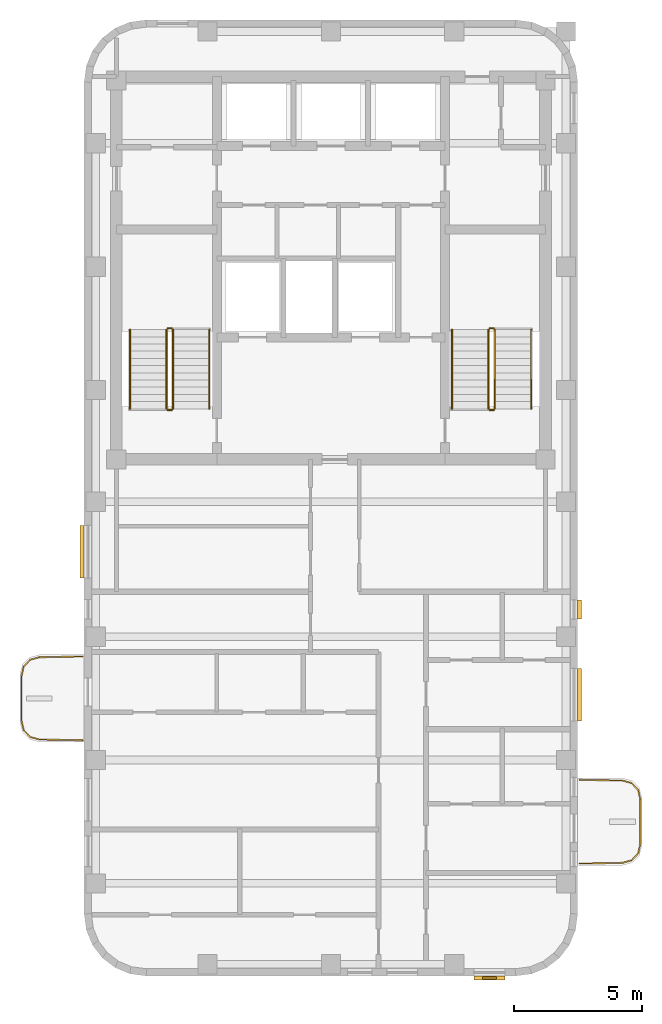
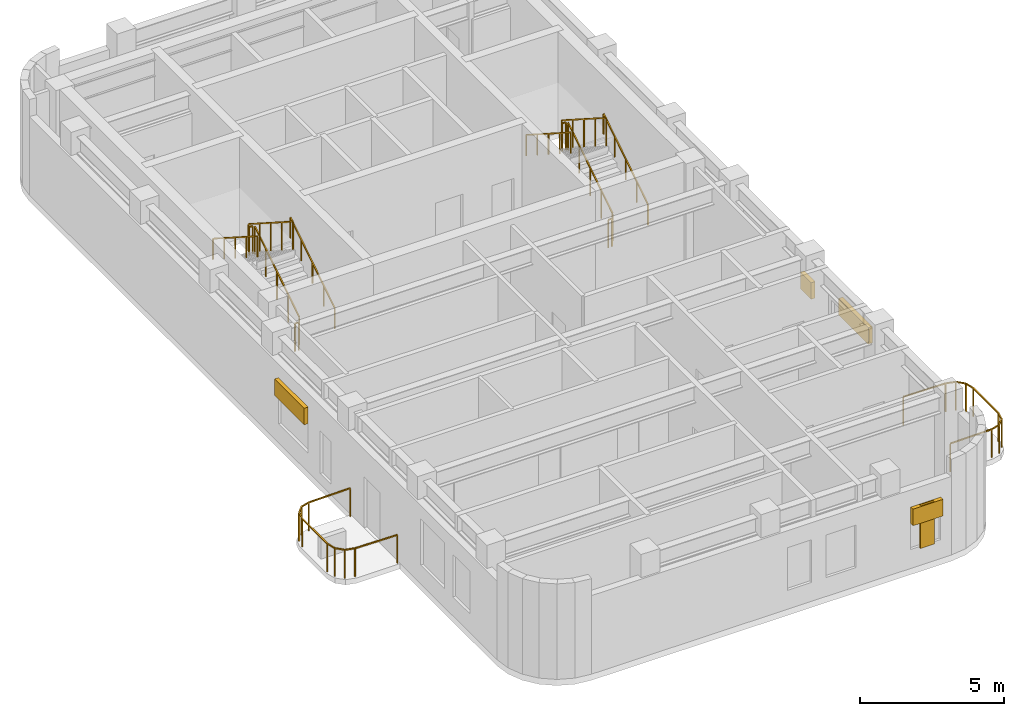
# One storey, part 6 of 6: 14 railings, 5 shading devices.
"""IFC4 building model written with IfcOpenShell, lengths in metres."""

from ifc_helpers import new_model, si_unit, direction, frame, origin, origin_2d, place, context, subcontext, project, spatial, rectangle, extrude, material, type_object, element, save


model = new_model("IFC4")

# Units and contexts
model_context = context("Model", 3, precision=1e-05, world=origin(), true_north=direction((0.0, 1.0)))
body_context = subcontext(model_context, "Body", "Model", "MODEL_VIEW")
ifc_project = project(units=[si_unit("LENGTHUNIT", "METRE"), si_unit("AREAUNIT", "SQUARE_METRE"), si_unit("VOLUMEUNIT", "CUBIC_METRE"), si_unit("PLANEANGLEUNIT", "RADIAN"), si_unit("MASSUNIT", "GRAM", prefix="KILO")], contexts=[model_context])

# Site, building, storey
site_placement = place(None, origin())
site = spatial("IfcSite", under=ifc_project, at=site_placement, CompositionType="ELEMENT")
building_placement = place(site_placement, origin())
building = spatial("IfcBuilding", under=site, at=building_placement, Name="Orvandelia Arch Residences", CompositionType="ELEMENT")
storey_placement = place(building_placement, frame((0.0, 0.0, 274.199951171875)))
storey = spatial("IfcBuildingStorey", under=building, at=storey_placement, Name="L71", CompositionType="ELEMENT", Elevation=274.199951171875)

# Railings
ifc_material_1 = material(Name="Marine-Grade Stainless Steel 316", Category="steel")
railing_type_1 = type_object("IfcRailingType", Name="GRD-BAL-1200", PredefinedType="BALUSTRADE", material=ifc_material_1)
railing_1_placement = place(storey_placement, frame((4.728271484375, 23.23046875, 0.0)))
element("IfcRailing", 1, at=railing_1_placement, inside=storey, type_object=railing_type_1, Name="Safety Balustrade Guard GRD-L71-BAL-L71-W1-1", PredefinedType="BALUSTRADE", context=body_context, shape_type="SweptSolid", body=[
    extrude(rectangle(XDim=0.048095703125, YDim=0.048095703125, at=origin_2d()), frame((0.0, 0.0, 1.19580078125), z_axis=(-0.999834751713, -0.018178813668, 0.0), x_axis=(0.018178813668, -0.999834751713, 0.0)), (0.0, 0.0, 1.0), 1.6787109375),
    extrude(rectangle(XDim=0.048095703125, YDim=0.048095703125, at=origin_2d()), frame((-1.678466796875, -0.030517578125, 1.19580078125), z_axis=(-0.96348920644, -0.267747173792, 0.0), x_axis=(0.267747173792, -0.96348920644, 0.0)), (0.0, 0.0, 1.0), 0.36572265625),
    extrude(rectangle(XDim=0.048095703125, YDim=0.048095703125, at=origin_2d()), frame((-2.03076171875, -0.12841796875, 1.19580078125), z_axis=(-0.688627404251, -0.725115368831, 0.0), x_axis=(0.725115368831, -0.688627404251, 0.0)), (0.0, 0.0, 1.0), 0.367919921875),
    extrude(rectangle(XDim=0.048095703125, YDim=0.048095703125, at=origin_2d()), frame((-2.2841796875, -0.395263671875, 1.19580078125), z_axis=(-0.220461657419, -0.975395641577, 0.0), x_axis=(0.975395641577, -0.220461657419, 0.0)), (0.0, 0.0, 1.0), 0.373291015625),
    extrude(rectangle(XDim=0.048095703125, YDim=0.048095703125, at=origin_2d()), frame((-2.366455078125, -0.75927734375, 1.19580078125), z_axis=(0.0, -1.0, 0.0), x_axis=(1.0, 0.0, 0.0)), (0.0, 0.0, 1.0), 1.742431640625),
    extrude(rectangle(XDim=0.048095703125, YDim=0.048095703125, at=origin_2d()), frame((-2.366455078125, -2.501708984375, 1.19580078125), z_axis=(0.220602419982, -0.975363815352, 0.0), x_axis=(0.975363815352, 0.220602419982, 0.0)), (0.0, 0.0, 1.0), 0.373046875),
    extrude(rectangle(XDim=0.048095703125, YDim=0.048095703125, at=origin_2d()), frame((-2.2841796875, -2.865478515625, 1.19580078125), z_axis=(0.688296224633, -0.725429739642, 0.0), x_axis=(0.725429739642, 0.688296224633, 0.0)), (0.0, 0.0, 1.0), 0.3681640625),
    extrude(rectangle(XDim=0.048095703125, YDim=0.048095703125, at=origin_2d()), frame((-2.03076171875, -3.132568359375, 1.19580078125), z_axis=(0.96348920644, -0.267747173792, 0.0), x_axis=(0.267747173792, 0.96348920644, 0.0)), (0.0, 0.0, 1.0), 0.36572265625),
    extrude(rectangle(XDim=0.048095703125, YDim=0.048095703125, at=origin_2d()), frame((-1.678466796875, -3.23046875, 1.19580078125), z_axis=(0.999834751713, -0.018178813668, 0.0), x_axis=(0.018178813668, 0.999834751713, 0.0)), (0.0, 0.0, 1.0), 1.6787109375),
    extrude(rectangle(XDim=0.0419921875, YDim=0.0419921875, at=origin_2d()), origin(), (0.0, 0.0, 1.0), 1.171875),
    extrude(rectangle(XDim=0.0419921875, YDim=0.0419921875, at=origin_2d()), frame((-1.678466796875, -0.030517578125, 0.0)), (0.0, 0.0, 1.0), 1.171875),
    extrude(rectangle(XDim=0.0419921875, YDim=0.0419921875, at=origin_2d()), frame((-2.03076171875, -0.12841796875, 0.0)), (0.0, 0.0, 1.0), 1.171875),
    extrude(rectangle(XDim=0.0419921875, YDim=0.0419921875, at=origin_2d()), frame((-2.2841796875, -0.395263671875, 0.0)), (0.0, 0.0, 1.0), 1.171875),
    extrude(rectangle(XDim=0.0419921875, YDim=0.0419921875, at=origin_2d()), frame((-2.366455078125, -0.75927734375, 0.0)), (0.0, 0.0, 1.0), 1.171875),
    extrude(rectangle(XDim=0.0419921875, YDim=0.0419921875, at=origin_2d()), frame((-2.366455078125, -2.501708984375, 0.0)), (0.0, 0.0, 1.0), 1.171875),
    extrude(rectangle(XDim=0.0419921875, YDim=0.0419921875, at=origin_2d()), frame((-2.2841796875, -2.865478515625, 0.0)), (0.0, 0.0, 1.0), 1.171875),
    extrude(rectangle(XDim=0.0419921875, YDim=0.0419921875, at=origin_2d()), frame((-2.03076171875, -3.132568359375, 0.0)), (0.0, 0.0, 1.0), 1.171875),
    extrude(rectangle(XDim=0.0419921875, YDim=0.0419921875, at=origin_2d()), frame((-1.678466796875, -3.23046875, 0.0)), (0.0, 0.0, 1.0), 1.171875),
    extrude(rectangle(XDim=0.0419921875, YDim=0.0419921875, at=origin_2d()), frame((0.0, -3.260986328125, 0.0)), (0.0, 0.0, 1.0), 1.171875),
])
railing_2_placement = place(storey_placement, frame((24.07177734375, 15.169677734375, 0.0)))
element("IfcRailing", 2, at=railing_2_placement, inside=storey, type_object=railing_type_1, Name="Safety Balustrade Guard GRD-L71-BAL-L71-W2-1", PredefinedType="BALUSTRADE", context=body_context, shape_type="SweptSolid", body=[
    extrude(rectangle(XDim=0.048095703125, YDim=0.048095703125, at=origin_2d()), frame((0.0, 0.0, 1.19580078125), z_axis=(0.999837384468, 0.018033430643, 0.0), x_axis=(-0.018033430643, 0.999837384468, 0.0)), (0.0, 0.0, 1.0), 1.6787109375),
    extrude(rectangle(XDim=0.048095703125, YDim=0.048095703125, at=origin_2d()), frame((1.678466796875, 0.0302734375, 1.19580078125), z_axis=(0.96348920644, 0.267747173792, 0.0), x_axis=(-0.267747173792, 0.96348920644, 0.0)), (0.0, 0.0, 1.0), 0.36572265625),
    extrude(rectangle(XDim=0.048095703125, YDim=0.048095703125, at=origin_2d()), frame((2.03076171875, 0.128173828125, 1.19580078125), z_axis=(0.687947031175, 0.725760898848, 0.0), x_axis=(-0.725760898848, 0.687947031175, 0.0)), (0.0, 0.0, 1.0), 0.367919921875),
    extrude(rectangle(XDim=0.048095703125, YDim=0.048095703125, at=origin_2d()), frame((2.283935546875, 0.395263671875, 1.19580078125), z_axis=(0.221225034864, 0.975222786828, 0.0), x_axis=(-0.975222786828, 0.221225034864, 0.0)), (0.0, 0.0, 1.0), 0.373046875),
    extrude(rectangle(XDim=0.048095703125, YDim=0.048095703125, at=origin_2d()), frame((2.366455078125, 0.759033203125, 1.19580078125), z_axis=(0.0, 1.0, 0.0), x_axis=(-1.0, 0.0, 0.0)), (0.0, 0.0, 1.0), 1.74267578125),
    extrude(rectangle(XDim=0.048095703125, YDim=0.048095703125, at=origin_2d()), frame((2.366455078125, 2.501708984375, 1.19580078125), z_axis=(-0.221225034864, 0.975222786828, 0.0), x_axis=(-0.975222786828, -0.221225034864, 0.0)), (0.0, 0.0, 1.0), 0.373046875),
    extrude(rectangle(XDim=0.048095703125, YDim=0.048095703125, at=origin_2d()), frame((2.283935546875, 2.865478515625, 1.19580078125), z_axis=(-0.688278345278, 0.725446703364, 0.0), x_axis=(-0.725446703364, -0.688278345278, 0.0)), (0.0, 0.0, 1.0), 0.367919921875),
    extrude(rectangle(XDim=0.048095703125, YDim=0.048095703125, at=origin_2d()), frame((2.03076171875, 3.13232421875, 1.19580078125), z_axis=(-0.96348920644, 0.267747173792, 0.0), x_axis=(-0.267747173792, -0.96348920644, 0.0)), (0.0, 0.0, 1.0), 0.36572265625),
    extrude(rectangle(XDim=0.048095703125, YDim=0.048095703125, at=origin_2d()), frame((1.678466796875, 3.230224609375, 1.19580078125), z_axis=(-0.999834751713, 0.018178813668, 0.0), x_axis=(-0.018178813668, -0.999834751713, 0.0)), (0.0, 0.0, 1.0), 1.6787109375),
    extrude(rectangle(XDim=0.0419921875, YDim=0.0419921875, at=origin_2d()), origin(), (0.0, 0.0, 1.0), 1.171875),
    extrude(rectangle(XDim=0.0419921875, YDim=0.0419921875, at=origin_2d()), frame((1.678466796875, 0.0302734375, 0.0)), (0.0, 0.0, 1.0), 1.171875),
    extrude(rectangle(XDim=0.0419921875, YDim=0.0419921875, at=origin_2d()), frame((2.03076171875, 0.128173828125, 0.0)), (0.0, 0.0, 1.0), 1.171875),
    extrude(rectangle(XDim=0.0419921875, YDim=0.0419921875, at=origin_2d()), frame((2.283935546875, 0.395263671875, 0.0)), (0.0, 0.0, 1.0), 1.171875),
    extrude(rectangle(XDim=0.0419921875, YDim=0.0419921875, at=origin_2d()), frame((2.366455078125, 0.759033203125, 0.0)), (0.0, 0.0, 1.0), 1.171875),
    extrude(rectangle(XDim=0.0419921875, YDim=0.0419921875, at=origin_2d()), frame((2.366455078125, 2.501708984375, 0.0)), (0.0, 0.0, 1.0), 1.171875),
    extrude(rectangle(XDim=0.0419921875, YDim=0.0419921875, at=origin_2d()), frame((2.283935546875, 2.865478515625, 0.0)), (0.0, 0.0, 1.0), 1.171875),
    extrude(rectangle(XDim=0.0419921875, YDim=0.0419921875, at=origin_2d()), frame((2.03076171875, 3.13232421875, 0.0)), (0.0, 0.0, 1.0), 1.171875),
    extrude(rectangle(XDim=0.0419921875, YDim=0.0419921875, at=origin_2d()), frame((1.678466796875, 3.230224609375, 0.0)), (0.0, 0.0, 1.0), 1.171875),
    extrude(rectangle(XDim=0.0419921875, YDim=0.0419921875, at=origin_2d()), frame((0.0, 3.2607421875, 0.0)), (0.0, 0.0, 1.0), 1.171875),
])
ifc_material_2 = material(Name="Brushed Stainless Steel 304", Category="steel")
railing_type_2 = type_object("IfcRailingType", Name="RL-STAIR-GD1120", PredefinedType="GUARDRAIL", material=ifc_material_2)
railing_3_placement = place(storey_placement, frame((8.25, 32.8701171875, 0.17919921875)))
element("IfcRailing", 3, at=railing_3_placement, inside=storey, type_object=railing_type_2, Name="L71 ST-1 stair guard 1", PredefinedType="GUARDRAIL", context=body_context, shape_type="SweptSolid", body=[
    extrude(rectangle(XDim=0.048095703125, YDim=0.048095703125, at=origin_2d()), frame((0.0, 0.0, 1.17578125), z_axis=(0.0, 0.842289589211, 0.539025275759), x_axis=(-1.0, 0.0, 0.0)), (0.0, 0.0, 1.0), 3.656494140625),
    extrude(rectangle(XDim=0.0419921875, YDim=0.0419921875, at=origin_2d()), origin(), (0.0, 0.0, 1.0), 1.15185546875),
    extrude(rectangle(XDim=0.0419921875, YDim=0.0419921875, at=origin_2d()), frame((0.0, 0.77001953125, 0.49267578125)), (0.0, 0.0, 1.0), 1.15185546875),
    extrude(rectangle(XDim=0.0419921875, YDim=0.0419921875, at=origin_2d()), frame((0.0, 1.5400390625, 0.9853515625)), (0.0, 0.0, 1.0), 1.15185546875),
    extrude(rectangle(XDim=0.0419921875, YDim=0.0419921875, at=origin_2d()), frame((0.0, 2.309814453125, 1.478271484375)), (0.0, 0.0, 1.0), 1.15185546875),
    extrude(rectangle(XDim=0.0419921875, YDim=0.0419921875, at=origin_2d()), frame((0.0, 3.079833984375, 1.970947265625)), (0.0, 0.0, 1.0), 1.15185546875),
])
railing_4_placement = place(storey_placement, frame((8.199951171875, 36.0, 2.150146484375)))
element("IfcRailing", 4, at=railing_4_placement, inside=storey, type_object=railing_type_2, Name="L71 ST-1 stair guard 2", PredefinedType="GUARDRAIL", context=body_context, shape_type="SweptSolid", body=[
    extrude(rectangle(XDim=0.048095703125, YDim=0.048095703125, at=origin_2d()), frame((0.0, 0.0, 1.17578125), z_axis=(-1.0, 0.0, 0.0), x_axis=(0.0, -1.0, 0.0)), (0.0, 0.0, 1.0), 0.14990234375),
    extrude(rectangle(XDim=0.0419921875, YDim=0.0419921875, at=origin_2d()), origin(), (0.0, 0.0, 1.0), 1.15185546875),
    extrude(rectangle(XDim=0.0419921875, YDim=0.0419921875, at=origin_2d()), frame((-0.14990234375, 0.0, 0.0)), (0.0, 0.0, 1.0), 1.15185546875),
])
railing_5_placement = place(storey_placement, frame((8.0, 35.949951171875, 2.3291015625)))
element("IfcRailing", 5, at=railing_5_placement, inside=storey, type_object=railing_type_2, Name="L71 ST-1 stair guard 3", PredefinedType="GUARDRAIL", context=body_context, shape_type="SweptSolid", body=[
    extrude(rectangle(XDim=0.048095703125, YDim=0.048095703125, at=origin_2d()), frame((0.0, 0.0, 1.17578125), z_axis=(0.0, -0.842289589211, 0.539025275759), x_axis=(1.0, 0.0, 0.0)), (0.0, 0.0, 1.0), 3.656494140625),
    extrude(rectangle(XDim=0.0419921875, YDim=0.0419921875, at=origin_2d()), origin(), (0.0, 0.0, 1.0), 1.15185546875),
    extrude(rectangle(XDim=0.0419921875, YDim=0.0419921875, at=origin_2d()), frame((0.0, -0.77001953125, 0.49267578125)), (0.0, 0.0, 1.0), 1.15185546875),
    extrude(rectangle(XDim=0.0419921875, YDim=0.0419921875, at=origin_2d()), frame((0.0, -1.5400390625, 0.9853515625)), (0.0, 0.0, 1.0), 1.15185546875),
    extrude(rectangle(XDim=0.0419921875, YDim=0.0419921875, at=origin_2d()), frame((0.0, -2.309814453125, 1.478271484375)), (0.0, 0.0, 1.0), 1.15185546875),
    extrude(rectangle(XDim=0.0419921875, YDim=0.0419921875, at=origin_2d()), frame((0.0, -3.079833984375, 1.970947265625)), (0.0, 0.0, 1.0), 1.15185546875),
])
railing_6_placement = place(storey_placement, frame((8.199951171875, 32.820068359375, 0.0)))
element("IfcRailing", 6, at=railing_6_placement, inside=storey, type_object=railing_type_2, Name="L71 ST-1 stair guard 4", PredefinedType="GUARDRAIL", context=body_context, shape_type="SweptSolid", body=[
    extrude(rectangle(XDim=0.048095703125, YDim=0.048095703125, at=origin_2d()), frame((0.0, 0.0, 1.17578125), z_axis=(-1.0, 0.0, 0.0), x_axis=(0.0, -1.0, 0.0)), (0.0, 0.0, 1.0), 0.14990234375),
    extrude(rectangle(XDim=0.0419921875, YDim=0.0419921875, at=origin_2d()), origin(), (0.0, 0.0, 1.0), 1.15185546875),
    extrude(rectangle(XDim=0.0419921875, YDim=0.0419921875, at=origin_2d()), frame((-0.14990234375, 0.0, 0.0)), (0.0, 0.0, 1.0), 1.15185546875),
])
railing_7_placement = place(storey_placement, frame((20.780029296875, 32.8701171875, 0.17919921875)))
element("IfcRailing", 7, at=railing_7_placement, inside=storey, type_object=railing_type_2, Name="L71 ST-2 stair guard 1", PredefinedType="GUARDRAIL", context=body_context, shape_type="SweptSolid", body=[
    extrude(rectangle(XDim=0.048095703125, YDim=0.048095703125, at=origin_2d()), frame((0.0, 0.0, 1.17578125), z_axis=(0.0, 0.842289589211, 0.539025275759), x_axis=(-1.0, 0.0, 0.0)), (0.0, 0.0, 1.0), 3.656494140625),
    extrude(rectangle(XDim=0.0419921875, YDim=0.0419921875, at=origin_2d()), origin(), (0.0, 0.0, 1.0), 1.15185546875),
    extrude(rectangle(XDim=0.0419921875, YDim=0.0419921875, at=origin_2d()), frame((0.0, 0.77001953125, 0.49267578125)), (0.0, 0.0, 1.0), 1.15185546875),
    extrude(rectangle(XDim=0.0419921875, YDim=0.0419921875, at=origin_2d()), frame((0.0, 1.5400390625, 0.9853515625)), (0.0, 0.0, 1.0), 1.15185546875),
    extrude(rectangle(XDim=0.0419921875, YDim=0.0419921875, at=origin_2d()), frame((0.0, 2.309814453125, 1.478271484375)), (0.0, 0.0, 1.0), 1.15185546875),
    extrude(rectangle(XDim=0.0419921875, YDim=0.0419921875, at=origin_2d()), frame((0.0, 3.079833984375, 1.970947265625)), (0.0, 0.0, 1.0), 1.15185546875),
])
railing_8_placement = place(storey_placement, frame((20.72998046875, 36.0, 2.150146484375)))
element("IfcRailing", 8, at=railing_8_placement, inside=storey, type_object=railing_type_2, Name="L71 ST-2 stair guard 2", PredefinedType="GUARDRAIL", context=body_context, shape_type="SweptSolid", body=[
    extrude(rectangle(XDim=0.048095703125, YDim=0.048095703125, at=origin_2d()), frame((0.0, 0.0, 1.17578125), z_axis=(-1.0, 0.0, 0.0), x_axis=(0.0, -1.0, 0.0)), (0.0, 0.0, 1.0), 0.14990234375),
    extrude(rectangle(XDim=0.0419921875, YDim=0.0419921875, at=origin_2d()), origin(), (0.0, 0.0, 1.0), 1.15185546875),
    extrude(rectangle(XDim=0.0419921875, YDim=0.0419921875, at=origin_2d()), frame((-0.14990234375, 0.0, 0.0)), (0.0, 0.0, 1.0), 1.15185546875),
])
railing_9_placement = place(storey_placement, frame((20.530029296875, 35.949951171875, 2.3291015625)))
element("IfcRailing", 9, at=railing_9_placement, inside=storey, type_object=railing_type_2, Name="L71 ST-2 stair guard 3", PredefinedType="GUARDRAIL", context=body_context, shape_type="SweptSolid", body=[
    extrude(rectangle(XDim=0.048095703125, YDim=0.048095703125, at=origin_2d()), frame((0.0, 0.0, 1.17578125), z_axis=(0.0, -0.842289589211, 0.539025275759), x_axis=(1.0, 0.0, 0.0)), (0.0, 0.0, 1.0), 3.656494140625),
    extrude(rectangle(XDim=0.0419921875, YDim=0.0419921875, at=origin_2d()), origin(), (0.0, 0.0, 1.0), 1.15185546875),
    extrude(rectangle(XDim=0.0419921875, YDim=0.0419921875, at=origin_2d()), frame((0.0, -0.77001953125, 0.49267578125)), (0.0, 0.0, 1.0), 1.15185546875),
    extrude(rectangle(XDim=0.0419921875, YDim=0.0419921875, at=origin_2d()), frame((0.0, -1.5400390625, 0.9853515625)), (0.0, 0.0, 1.0), 1.15185546875),
    extrude(rectangle(XDim=0.0419921875, YDim=0.0419921875, at=origin_2d()), frame((0.0, -2.309814453125, 1.478271484375)), (0.0, 0.0, 1.0), 1.15185546875),
    extrude(rectangle(XDim=0.0419921875, YDim=0.0419921875, at=origin_2d()), frame((0.0, -3.079833984375, 1.970947265625)), (0.0, 0.0, 1.0), 1.15185546875),
])
railing_10_placement = place(storey_placement, frame((20.72998046875, 32.820068359375, 0.0)))
element("IfcRailing", 10, at=railing_10_placement, inside=storey, type_object=railing_type_2, Name="L71 ST-2 stair guard 4", PredefinedType="GUARDRAIL", context=body_context, shape_type="SweptSolid", body=[
    extrude(rectangle(XDim=0.048095703125, YDim=0.048095703125, at=origin_2d()), frame((0.0, 0.0, 1.17578125), z_axis=(-1.0, 0.0, 0.0), x_axis=(0.0, -1.0, 0.0)), (0.0, 0.0, 1.0), 0.14990234375),
    extrude(rectangle(XDim=0.0419921875, YDim=0.0419921875, at=origin_2d()), origin(), (0.0, 0.0, 1.0), 1.15185546875),
    extrude(rectangle(XDim=0.0419921875, YDim=0.0419921875, at=origin_2d()), frame((-0.14990234375, 0.0, 0.0)), (0.0, 0.0, 1.0), 1.15185546875),
])
railing_type_3 = type_object("IfcRailingType", Name="RL-STAIR-HR920", PredefinedType="HANDRAIL", material=ifc_material_2)
railing_11_placement = place(storey_placement, frame((9.669921875, 32.8701171875, 0.3583984375)))
element("IfcRailing", 11, at=railing_11_placement, inside=storey, type_object=railing_type_3, Name="L71 ST-1 stair handrail 1", PredefinedType="HANDRAIL", context=body_context, shape_type="SweptSolid", body=[
    extrude(rectangle(XDim=0.048095703125, YDim=0.048095703125, at=origin_2d()), frame((0.0, 0.0, 0.8759765625), z_axis=(0.0, 0.842319903074, 0.538977903893), x_axis=(-1.0, 0.0, 0.0)), (0.0, 0.0, 1.0), 3.65625),
    extrude(rectangle(XDim=0.0419921875, YDim=0.0419921875, at=origin_2d()), origin(), (0.0, 0.0, 1.0), 0.851806640625),
    extrude(rectangle(XDim=0.0419921875, YDim=0.0419921875, at=origin_2d()), frame((0.0, 0.77001953125, 0.49267578125)), (0.0, 0.0, 1.0), 0.851806640625),
    extrude(rectangle(XDim=0.0419921875, YDim=0.0419921875, at=origin_2d()), frame((0.0, 1.5400390625, 0.9853515625)), (0.0, 0.0, 1.0), 0.851806640625),
    extrude(rectangle(XDim=0.0419921875, YDim=0.0419921875, at=origin_2d()), frame((0.0, 2.309814453125, 1.47802734375)), (0.0, 0.0, 1.0), 0.851806640625),
    extrude(rectangle(XDim=0.0419921875, YDim=0.0419921875, at=origin_2d()), frame((0.0, 3.079833984375, 1.970703125)), (0.0, 0.0, 1.0), 0.851806640625),
])
railing_12_placement = place(storey_placement, frame((6.580078125, 35.949951171875, 2.50830078125)))
element("IfcRailing", 12, at=railing_12_placement, inside=storey, type_object=railing_type_3, Name="L71 ST-1 stair handrail 2", PredefinedType="HANDRAIL", context=body_context, shape_type="SweptSolid", body=[
    extrude(rectangle(XDim=0.048095703125, YDim=0.048095703125, at=origin_2d()), frame((0.0, 0.0, 0.8759765625), z_axis=(0.0, -0.842289589211, 0.539025275759), x_axis=(1.0, 0.0, 0.0)), (0.0, 0.0, 1.0), 3.656494140625),
    extrude(rectangle(XDim=0.0419921875, YDim=0.0419921875, at=origin_2d()), origin(), (0.0, 0.0, 1.0), 0.851806640625),
    extrude(rectangle(XDim=0.0419921875, YDim=0.0419921875, at=origin_2d()), frame((0.0, -0.77001953125, 0.49267578125)), (0.0, 0.0, 1.0), 0.851806640625),
    extrude(rectangle(XDim=0.0419921875, YDim=0.0419921875, at=origin_2d()), frame((0.0, -1.5400390625, 0.9853515625)), (0.0, 0.0, 1.0), 0.851806640625),
    extrude(rectangle(XDim=0.0419921875, YDim=0.0419921875, at=origin_2d()), frame((0.0, -2.309814453125, 1.478271484375)), (0.0, 0.0, 1.0), 0.851806640625),
    extrude(rectangle(XDim=0.0419921875, YDim=0.0419921875, at=origin_2d()), frame((0.0, -3.079833984375, 1.970947265625)), (0.0, 0.0, 1.0), 0.851806640625),
])
railing_13_placement = place(storey_placement, frame((22.199951171875, 32.8701171875, 0.3583984375)))
element("IfcRailing", 13, at=railing_13_placement, inside=storey, type_object=railing_type_3, Name="L71 ST-2 stair handrail 1", PredefinedType="HANDRAIL", context=body_context, shape_type="SweptSolid", body=[
    extrude(rectangle(XDim=0.048095703125, YDim=0.048095703125, at=origin_2d()), frame((0.0, 0.0, 0.8759765625), z_axis=(0.0, 0.842319903074, 0.538977903893), x_axis=(-1.0, 0.0, 0.0)), (0.0, 0.0, 1.0), 3.65625),
    extrude(rectangle(XDim=0.0419921875, YDim=0.0419921875, at=origin_2d()), origin(), (0.0, 0.0, 1.0), 0.851806640625),
    extrude(rectangle(XDim=0.0419921875, YDim=0.0419921875, at=origin_2d()), frame((0.0, 0.77001953125, 0.49267578125)), (0.0, 0.0, 1.0), 0.851806640625),
    extrude(rectangle(XDim=0.0419921875, YDim=0.0419921875, at=origin_2d()), frame((0.0, 1.5400390625, 0.9853515625)), (0.0, 0.0, 1.0), 0.851806640625),
    extrude(rectangle(XDim=0.0419921875, YDim=0.0419921875, at=origin_2d()), frame((0.0, 2.309814453125, 1.47802734375)), (0.0, 0.0, 1.0), 0.851806640625),
    extrude(rectangle(XDim=0.0419921875, YDim=0.0419921875, at=origin_2d()), frame((0.0, 3.079833984375, 1.970703125)), (0.0, 0.0, 1.0), 0.851806640625),
])
railing_14_placement = place(storey_placement, frame((19.110107421875, 35.949951171875, 2.50830078125)))
element("IfcRailing", 14, at=railing_14_placement, inside=storey, type_object=railing_type_3, Name="L71 ST-2 stair handrail 2", PredefinedType="HANDRAIL", context=body_context, shape_type="SweptSolid", body=[
    extrude(rectangle(XDim=0.048095703125, YDim=0.048095703125, at=origin_2d()), frame((0.0, 0.0, 0.8759765625), z_axis=(0.0, -0.842289589211, 0.539025275759), x_axis=(1.0, 0.0, 0.0)), (0.0, 0.0, 1.0), 3.656494140625),
    extrude(rectangle(XDim=0.0419921875, YDim=0.0419921875, at=origin_2d()), origin(), (0.0, 0.0, 1.0), 0.851806640625),
    extrude(rectangle(XDim=0.0419921875, YDim=0.0419921875, at=origin_2d()), frame((0.0, -0.77001953125, 0.49267578125)), (0.0, 0.0, 1.0), 0.851806640625),
    extrude(rectangle(XDim=0.0419921875, YDim=0.0419921875, at=origin_2d()), frame((0.0, -1.5400390625, 0.9853515625)), (0.0, 0.0, 1.0), 0.851806640625),
    extrude(rectangle(XDim=0.0419921875, YDim=0.0419921875, at=origin_2d()), frame((0.0, -2.309814453125, 1.478271484375)), (0.0, 0.0, 1.0), 0.851806640625),
    extrude(rectangle(XDim=0.0419921875, YDim=0.0419921875, at=origin_2d()), frame((0.0, -3.079833984375, 1.970947265625)), (0.0, 0.0, 1.0), 0.851806640625),
])

# Shading devices
ifc_material_3 = material(Name="Anodised Champagne-Bronze Extruded Aluminium", Category="aluminium")
shading_device_type_1 = type_object("IfcShadingDeviceType", Name="SHD-JALOUSIE-SCREEN", PredefinedType="JALOUSIE", material=ifc_material_3)
shading_device_1_placement = place(storey_placement, frame((24.080078125, 21.74609375, 2.05029296875), z_axis=(0.0, 0.0, 1.0), x_axis=(0.0, -1.0, 0.0)))
element("IfcShadingDevice", 15, at=shading_device_1_placement, inside=storey, type_object=shading_device_type_1, Name="Bronze Jalousie Sun-Shade L71-001", PredefinedType="JALOUSIE", context=body_context, shape_type="SweptSolid", body=[
    extrude(rectangle(XDim=2.050048828125, YDim=0.159912109375, at=origin_2d()), origin(), (0.0, 0.0, 1.0), 0.699951171875),
])
shading_device_2_placement = place(storey_placement, frame((24.080078125, 25.0576171875, 1.55029296875), z_axis=(0.0, 0.0, 1.0), x_axis=(0.0, -1.0, 0.0)))
element("IfcShadingDevice", 16, at=shading_device_2_placement, inside=storey, type_object=shading_device_type_1, Name="Bronze Jalousie Sun-Shade L71-002", PredefinedType="JALOUSIE", context=body_context, shape_type="SweptSolid", body=[
    extrude(rectangle(XDim=0.75, YDim=0.159912109375, at=origin_2d()), origin(), (0.0, 0.0, 1.0), 0.699951171875),
])
shading_device_3_placement = place(storey_placement, frame((20.5673828125, 10.719970703125, 1.89990234375), z_axis=(0.0, 0.0, 1.0), x_axis=(-1.0, 0.0, 0.0)))
element("IfcShadingDevice", 17, at=shading_device_3_placement, inside=storey, type_object=shading_device_type_1, Name="Bronze Jalousie Sun-Shade L71-003", PredefinedType="JALOUSIE", context=body_context, shape_type="SweptSolid", body=[
    extrude(rectangle(XDim=1.199951171875, YDim=0.159912109375, at=origin_2d()), origin(), (0.0, 0.0, 1.0), 0.699951171875),
])
shading_device_4_placement = place(storey_placement, frame((4.719970703125, 27.3076171875, 2.05029296875), z_axis=(0.0, 0.0, 1.0), x_axis=(0.0, 1.0, 0.0)))
element("IfcShadingDevice", 18, at=shading_device_4_placement, inside=storey, type_object=shading_device_type_1, Name="Bronze Jalousie Sun-Shade L71-004", PredefinedType="JALOUSIE", context=body_context, shape_type="SweptSolid", body=[
    extrude(rectangle(XDim=2.050048828125, YDim=0.159912109375, at=origin_2d()), origin(), (0.0, 0.0, 1.0), 0.699951171875),
])
ifc_material_4 = material(Name="Marine-Grade Perforated Aluminium Storm Shutter", Category="aluminium")
shading_device_type_2 = type_object("IfcShadingDeviceType", Name="SHD-STORM-SHUTTER", PredefinedType="SHUTTER", material=ifc_material_4)
shading_device_5_placement = place(storey_placement, frame((20.5673828125, 10.719970703125, 0.7998046875), z_axis=(0.0, 0.0, 1.0), x_axis=(-1.0, 0.0, 0.0)))
element("IfcShadingDevice", 19, at=shading_device_5_placement, inside=storey, type_object=shading_device_type_2, Name="Operable Typhoon Storm Shutter L71-003", PredefinedType="SHUTTER", context=body_context, shape_type="SweptSolid", body=[
    extrude(rectangle(XDim=0.550048828125, YDim=0.080078125, at=origin_2d()), origin(), (0.0, 0.0, 1.0), 1.800048828125),
])

save(model, "model.ifc")
